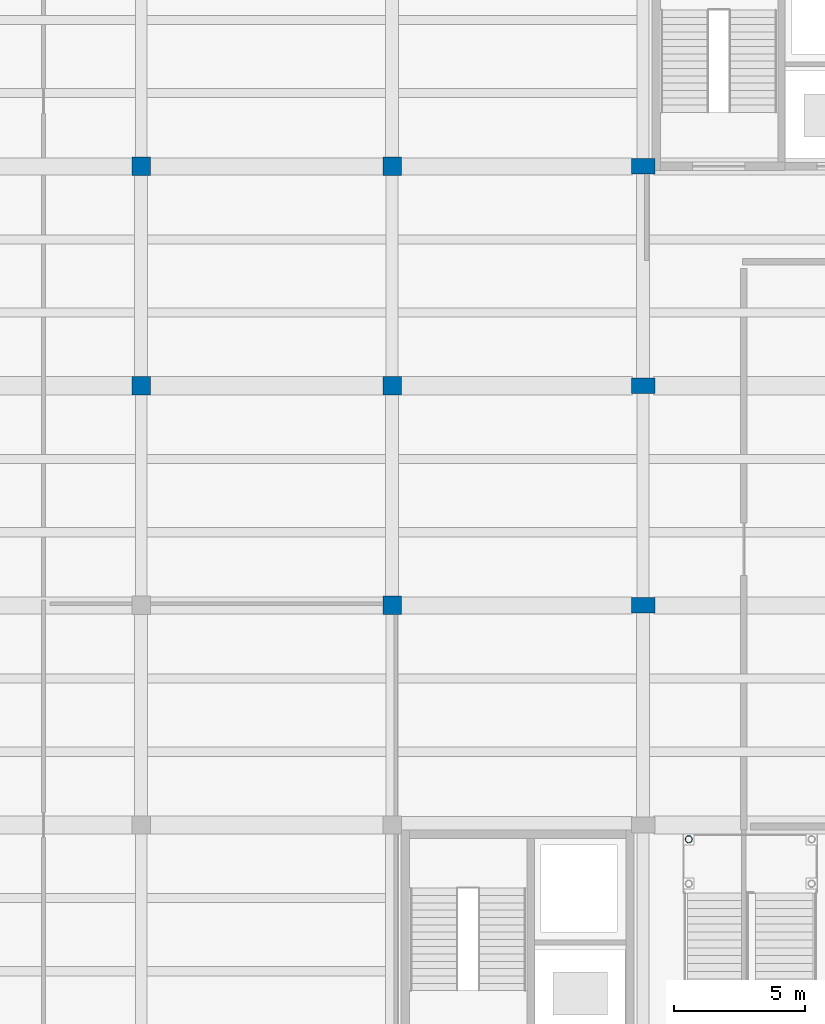
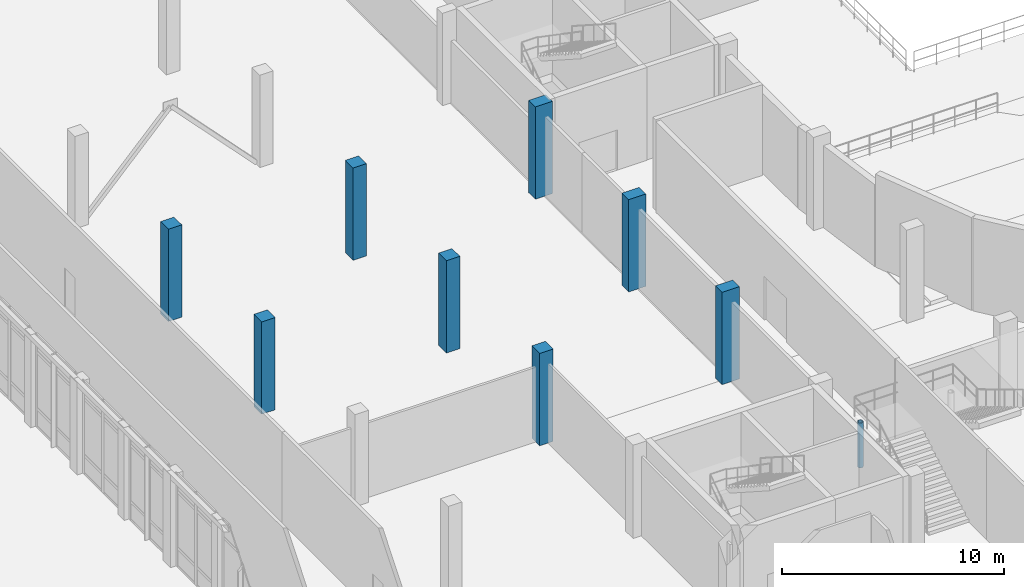
# One storey, part 5 of 71: 9 columns.
"""IFC4 building model written with IfcOpenShell, lengths in metres."""

from ifc_helpers import new_model, si_unit, direction, frame, origin, origin_2d, place, context, subcontext, project, spatial, rectangle, hollow_circle, extrude, material, material_profile, profile_set, type_object, element, save


model = new_model("IFC4")

# Units and contexts
model_context = context("Model", 3, precision=1e-05, world=origin(), true_north=direction((0.0, 1.0)))
body_context = subcontext(model_context, "Body", "Model", "MODEL_VIEW")
ifc_project = project(units=[si_unit("LENGTHUNIT", "METRE"), si_unit("AREAUNIT", "SQUARE_METRE"), si_unit("VOLUMEUNIT", "CUBIC_METRE"), si_unit("PLANEANGLEUNIT", "RADIAN"), si_unit("MASSUNIT", "GRAM", prefix="KILO")], contexts=[model_context])

# Site, building, storey
site_placement = place(None, origin())
site = spatial("IfcSite", under=ifc_project, at=site_placement, CompositionType="ELEMENT")
building_placement = place(site_placement, origin())
building = spatial("IfcBuilding", under=site, at=building_placement, Name="Lornevale Opera House", CompositionType="ELEMENT")
storey_placement = place(building_placement, origin())
storey = spatial("IfcBuildingStorey", under=building, at=storey_placement, Name="L01", CompositionType="ELEMENT", Elevation=0.0)

# Columns
ifc_material_1 = material(Name="Concrete 40 MPa (CSA A23.1 C-1)", Category="concrete")
ifc_material_profile_1 = material_profile(ifc_material_1, rectangle(XDim=0.89990234375, YDim=0.60009765625, at=origin_2d()), Name="RC900x600")
ifc_profile_set_1 = profile_set([ifc_material_profile_1], Name="Concrete 40 MPa (CSA A23.1 C-1)")
column_type_1 = type_object("IfcColumnType", Name="Auditorium Drum Pier 900x600", PredefinedType="COLUMN", material=ifc_profile_set_1)
for number, where, z_axis, x_axis, name in (
    (1, (57.60009765625, 42.0, 0.0), (0.0, 0.0, 1.0), (1.0, 0.0, 0.0), "Auditorium Drum Pier 900x600 0369"),
    (2, (57.60009765625, 50.39990234375, 0.0), (0.0, 0.0, 1.0), (1.0, 0.0, 0.0), "Auditorium Drum Pier 900x600 0374"),
    (3, (57.60009765625, 58.800048828125, 0.0), (0.0, 0.0, 1.0), (1.0, 0.0, 0.0), "Auditorium Drum Pier 900x600 0381"),
):
    element("IfcColumn", number, at=place(storey_placement, frame(where, z_axis=z_axis, x_axis=x_axis)), inside=storey, type_object=column_type_1, Name=name, PredefinedType="COLUMN", context=body_context, shape_type="SweptSolid", body=[
        extrude(rectangle(XDim=0.89990234375, YDim=0.60009765625, at=origin_2d()), origin(), (0.0, 0.0, 1.0), 5.070068359375),
    ])
ifc_material_profile_2 = material_profile(ifc_material_1, rectangle(XDim=0.699951171875, YDim=0.699951171875, at=origin_2d()), Name="RC700x700")
ifc_profile_set_2 = profile_set([ifc_material_profile_2], Name="Concrete 40 MPa (CSA A23.1 C-1)")
column_type_2 = type_object("IfcColumnType", Name="Concrete Column 700x700", PredefinedType="COLUMN", material=ifc_profile_set_2)
for number, where, z_axis, x_axis, name in (
    (4, (38.39990234375, 50.39990234375, 0.0), (0.0, 0.0, 1.0), (1.0, 0.0, 0.0), "Concrete Column 700x700 0247"),
    (5, (38.39990234375, 58.800048828125, 0.0), (0.0, 0.0, 1.0), (1.0, 0.0, 0.0), "Concrete Column 700x700 0252"),
    (6, (48.0, 42.0, 0.0), (0.0, 0.0, 1.0), (1.0, 0.0, 0.0), "Concrete Column 700x700 0306"),
    (7, (48.0, 50.39990234375, 0.0), (0.0, 0.0, 1.0), (1.0, 0.0, 0.0), "Concrete Column 700x700 0311"),
    (8, (48.0, 58.800048828125, 0.0), (0.0, 0.0, 1.0), (1.0, 0.0, 0.0), "Concrete Column 700x700 0316"),
):
    element("IfcColumn", number, at=place(storey_placement, frame(where, z_axis=z_axis, x_axis=x_axis)), inside=storey, type_object=column_type_2, Name=name, PredefinedType="COLUMN", context=body_context, shape_type="SweptSolid", body=[
        extrude(rectangle(XDim=0.699951171875, YDim=0.699951171875, at=origin_2d()), origin(), (0.0, 0.0, 1.0), 5.070068359375),
    ])
ifc_material_2 = material(Name="Structural Steel CSA G40.21 Grade 350W (350 MPa)", Category="steel")
ifc_material_profile_3 = material_profile(ifc_material_2, hollow_circle(Radius=0.136474609375, WallThickness=0.010986328125, at=origin_2d()), Name="HSS273x11")
ifc_profile_set_3 = profile_set([ifc_material_profile_3], Name="Structural Steel CSA G40.21 Grade 350W (350 MPa)")
column_type_3 = type_object("IfcColumnType", Name="Promenade Ramp Mast HSS273x11", PredefinedType="COLUMN", material=ifc_profile_set_3)
column_placement = place(storey_placement, frame((59.35009765625, 33.050048828125, 0.0), z_axis=(0.0, 0.0, 1.0), x_axis=(1.0, 0.0, 0.0)))
element("IfcColumn", 9, at=column_placement, inside=storey, type_object=column_type_3, Name="Grand Stair Landing Post L01 1124", PredefinedType="COLUMN", context=body_context, shape_type="SweptSolid", body=[
    extrude(hollow_circle(Radius=0.136474609375, WallThickness=0.010986328125, at=origin_2d()), origin(), (0.0, 0.0, 1.0), 2.4599609375),
])

save(model, "model.ifc")
